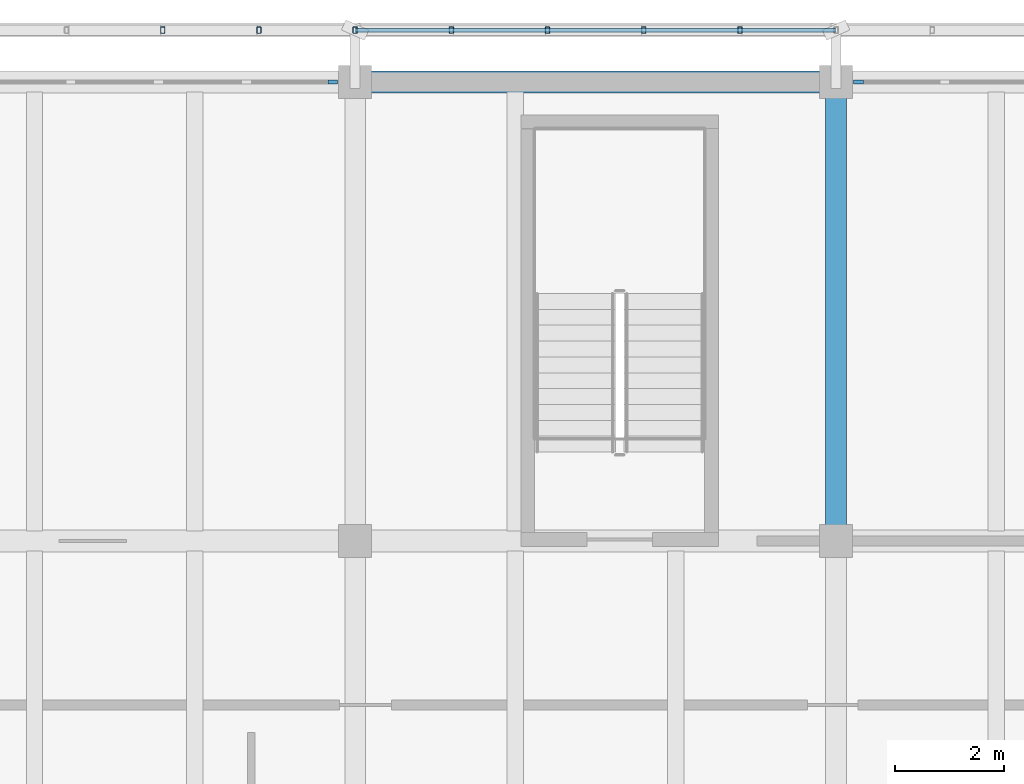
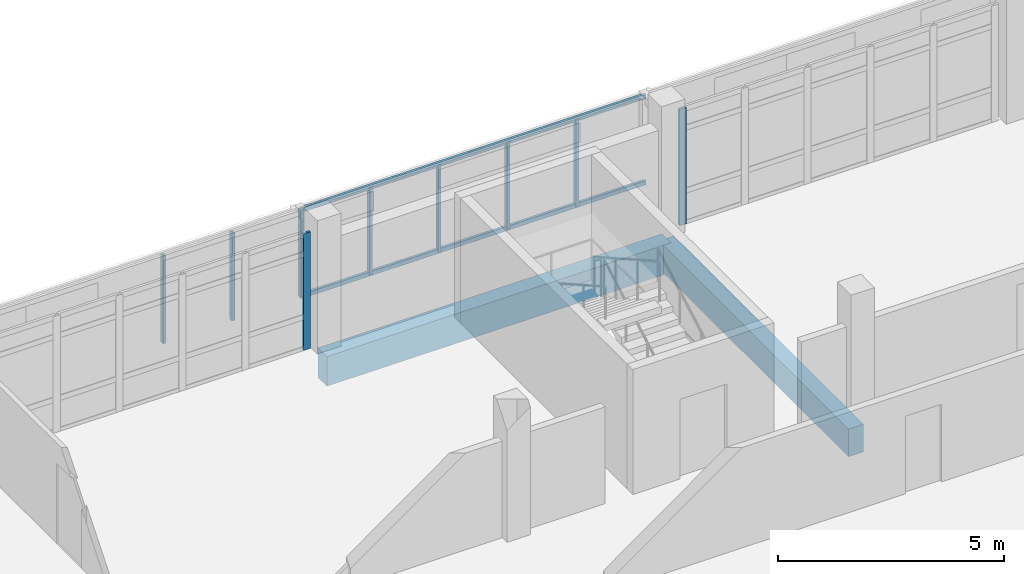
# One storey, part 32 of 50: 11 members, 2 beams, 2 elements without a shape of their own.
"""IFC4 building model written with IfcOpenShell, lengths in metres."""

from ifc_helpers import new_model, si_unit, direction, frame, origin, origin_2d, place, context, subcontext, project, spatial, rectangle, hollow_rectangle, extrude, material, material_profile, profile_set, type_object, element, aggregate, save


model = new_model("IFC4")

# Units and contexts
model_context = context("Model", 3, precision=1e-05, world=origin(), true_north=direction((0.0, 1.0)))
body_context = subcontext(model_context, "Body", "Model", "MODEL_VIEW")
ifc_project = project(units=[si_unit("LENGTHUNIT", "METRE"), si_unit("AREAUNIT", "SQUARE_METRE"), si_unit("VOLUMEUNIT", "CUBIC_METRE"), si_unit("PLANEANGLEUNIT", "RADIAN"), si_unit("MASSUNIT", "GRAM", prefix="KILO")], contexts=[model_context])

# Site, building, storey
site_placement = place(None, origin())
site = spatial("IfcSite", under=ifc_project, at=site_placement, CompositionType="ELEMENT")
building_placement = place(site_placement, origin())
building = spatial("IfcBuilding", under=site, at=building_placement, Name="Cinderway Yard Community Centre", CompositionType="ELEMENT")
storey_placement = place(building_placement, frame((0.0, 0.0, 12.89990234375)))
storey = spatial("IfcBuildingStorey", under=building, at=storey_placement, Name="L03", CompositionType="ELEMENT", Elevation=12.89990234375)

# Curtain wall, member
ifc_material_1 = material(Name="Aluminium 6063-T6", Category="aluminium")
curtain_wall_type = type_object("IfcCurtainWallType", Name="ENV-CW-TYPE-33", PredefinedType="USERDEFINED", material=ifc_material_1)
curtain_wall_1_placement = place(storey_placement, origin())
curtain_wall_1 = element("IfcCurtainWall", 1, at=curtain_wall_1_placement, inside=storey, type_object=curtain_wall_type, Name="V4 Street Curtain Wall ENV-CW-L03-HS-0169", ObjectType="GLAZED CURTAIN WALL", PredefinedType="USERDEFINED")
ifc_material_profile_1 = material_profile(ifc_material_1, rectangle(XDim=0.06494140625, YDim=0.179931640625, at=origin_2d()), Name="Aluminium 6063-T6")
ifc_profile_set_1 = profile_set([ifc_material_profile_1], Name="Aluminium 6063-T6")
member_type_1 = type_object("IfcMemberType", Name="ENV-CW-MULL-180", PredefinedType="MULLION", material=ifc_profile_set_1)
member_1_placement = place(storey_placement, frame((109.989990234375, 115.199951171875, 0.0), z_axis=(0.0, 0.0, 1.0), x_axis=(0.0, 1.0, 0.0)))
member_1 = element("IfcMember", 2, at=member_1_placement, type_object=member_type_1, Name="CW-33 mullion 6", PredefinedType="MULLION", context=body_context, shape_type="SweptSolid", body=[
    extrude(rectangle(XDim=0.06494140625, YDim=0.179931640625, at=origin_2d()), origin(), (0.0, 0.0, 1.0), 3.150146484375),
])
aggregate(curtain_wall_1, [member_1])

curtain_wall_2_placement = place(storey_placement, origin())
curtain_wall_2 = element("IfcCurtainWall", 3, at=curtain_wall_2_placement, inside=storey, type_object=curtain_wall_type, Name="V4 Street Curtain Wall ENV-CW-L03-HS-0171", ObjectType="GLAZED CURTAIN WALL", PredefinedType="USERDEFINED")
member_2_placement = place(storey_placement, frame((119.610107421875, 115.199951171875, 0.0), z_axis=(0.0, 0.0, 1.0), x_axis=(0.0, 1.0, 0.0)))
member_2 = element("IfcMember", 4, at=member_2_placement, type_object=member_type_1, Name="CW-33 mullion 1", PredefinedType="MULLION", context=body_context, shape_type="SweptSolid", body=[
    extrude(rectangle(XDim=0.06494140625, YDim=0.179931640625, at=origin_2d()), origin(), (0.0, 0.0, 1.0), 3.150146484375),
])
aggregate(curtain_wall_2, [member_2])

# Members
ifc_material_2 = material(Name="Steel S355", Category="steel")
ifc_material_profile_2 = material_profile(ifc_material_2, hollow_rectangle(XDim=0.080078125, YDim=0.1201171875, WallThickness=0.00634765625, InnerFilletRadius=0.00634765625, OuterFilletRadius=0.0126953125, at=origin_2d()), Name="Steel S355")
ifc_profile_set_2 = profile_set([ifc_material_profile_2], Name="Steel S355")
member_type_2 = type_object("IfcMemberType", Name="ENV-MEM-SCREEN-RAIL-120", PredefinedType="STRINGER", material=ifc_profile_set_2)
for number, where, z_axis, x_axis, name in (
    (5, (106.8798828125, 116.14990234375, 0.690185546875), (0.0, 0.0, 1.0), (1.0, 0.0, 0.0), "Screen vertical mullion 0240"),
    (6, (108.639892578125, 116.14990234375, 0.690185546875), (0.0, 0.0, 1.0), (1.0, 0.0, 0.0), "Screen vertical mullion 0241"),
    (7, (110.39990234375, 116.14990234375, 0.690185546875), (0.0, 0.0, 1.0), (1.0, 0.0, 0.0), "Screen vertical mullion 0242"),
):
    element("IfcMember", number, at=place(storey_placement, frame(where, z_axis=z_axis, x_axis=x_axis)), inside=storey, type_object=member_type_2, Name=name, PredefinedType="STRINGER", context=body_context, shape_type="SweptSolid", body=[
        extrude(hollow_rectangle(XDim=0.080078125, YDim=0.1201171875, WallThickness=0.00634765625, InnerFilletRadius=0.00634765625, OuterFilletRadius=0.0126953125, at=origin_2d()), origin(), (0.0, 0.0, 1.0), 2.369873046875),
    ])
for number, where, z_axis, x_axis, name in (
    (8, (110.39990234375, 116.14990234375, 0.710205078125), (1.0, 0.0, 0.0), (0.0, 1.0, 0.0), "Screen support rail 0244-BOT"),
    (9, (110.39990234375, 116.14990234375, 3.0400390625), (1.0, 0.0, 0.0), (0.0, 1.0, 0.0), "Screen support rail 0245-TOP"),
):
    element("IfcMember", number, at=place(storey_placement, frame(where, z_axis=z_axis, x_axis=x_axis)), inside=storey, type_object=member_type_2, Name=name, PredefinedType="STRINGER", context=body_context, shape_type="SweptSolid", body=[
        extrude(hollow_rectangle(XDim=0.080078125, YDim=0.1201171875, WallThickness=0.00634765625, InnerFilletRadius=0.00634765625, OuterFilletRadius=0.0126953125, at=origin_2d()), origin(), (0.0, 0.0, 1.0), 8.800048828125),
    ])
for number, where, z_axis, x_axis, name in (
    (10, (112.159912109375, 116.14990234375, 0.690185546875), (0.0, 0.0, 1.0), (1.0, 0.0, 0.0), "Screen vertical mullion 0246"),
    (11, (113.919921875, 116.14990234375, 0.690185546875), (0.0, 0.0, 1.0), (1.0, 0.0, 0.0), "Screen vertical mullion 0247"),
    (12, (115.679931640625, 116.14990234375, 0.690185546875), (0.0, 0.0, 1.0), (1.0, 0.0, 0.0), "Screen vertical mullion 0248"),
    (13, (117.43994140625, 116.14990234375, 0.690185546875), (0.0, 0.0, 1.0), (1.0, 0.0, 0.0), "Screen vertical mullion 0249"),
):
    element("IfcMember", number, at=place(storey_placement, frame(where, z_axis=z_axis, x_axis=x_axis)), inside=storey, type_object=member_type_2, Name=name, PredefinedType="STRINGER", context=body_context, shape_type="SweptSolid", body=[
        extrude(hollow_rectangle(XDim=0.080078125, YDim=0.1201171875, WallThickness=0.00634765625, InnerFilletRadius=0.00634765625, OuterFilletRadius=0.0126953125, at=origin_2d()), origin(), (0.0, 0.0, 1.0), 2.369873046875),
    ])

# Beams
ifc_material_3 = material(Name="Concrete C35/45", Category="concrete")
ifc_material_profile_3 = material_profile(ifc_material_3, rectangle(XDim=0.3798828125, YDim=0.75, at=origin_2d()), Name="Concrete C35/45")
ifc_profile_set_3 = profile_set([ifc_material_profile_3], Name="Concrete C35/45")
beam_type_1 = type_object("IfcBeamType", Name="STR-BM-RC380X750", PredefinedType="BEAM", material=ifc_profile_set_3)
beam_1_placement = place(storey_placement, frame((119.199951171875, 106.800048828125, -0.614990234375), z_axis=(0.0, 1.0, 0.0), x_axis=(-1.0, 0.0, 0.0)))
element("IfcBeam", 14, at=beam_1_placement, inside=storey, type_object=beam_type_1, Name="Transverse girder STR-BM-L03-BG06-0743", PredefinedType="BEAM", context=body_context, shape_type="SweptSolid", body=[
    extrude(rectangle(XDim=0.3798828125, YDim=0.75, at=origin_2d()), origin(), (0.0, 0.0, 1.0), 8.39990234375),
])
ifc_material_4 = material(Name="Concrete C40/50", Category="concrete")
ifc_material_profile_4 = material_profile(ifc_material_4, rectangle(XDim=0.39990234375, YDim=0.800048828125, at=origin_2d()), Name="Concrete C40/50")
ifc_profile_set_4 = profile_set([ifc_material_profile_4], Name="Concrete C40/50")
beam_type_2 = type_object("IfcBeamType", Name="STR-BM-RC400X800", PredefinedType="BEAM", material=ifc_profile_set_4)
beam_2_placement = place(storey_placement, frame((110.39990234375, 115.199951171875, -0.639892578125), z_axis=(1.0, 0.0, 0.0), x_axis=(0.0, 1.0, 0.0)))
element("IfcBeam", 15, at=beam_2_placement, inside=storey, type_object=beam_type_2, Name="Primary girder STR-BM-L03-BG05-0711", PredefinedType="BEAM", context=body_context, shape_type="SweptSolid", body=[
    extrude(rectangle(XDim=0.39990234375, YDim=0.800048828125, at=origin_2d()), origin(), (0.0, 0.0, 1.0), 8.800048828125),
])

save(model, "model.ifc")
